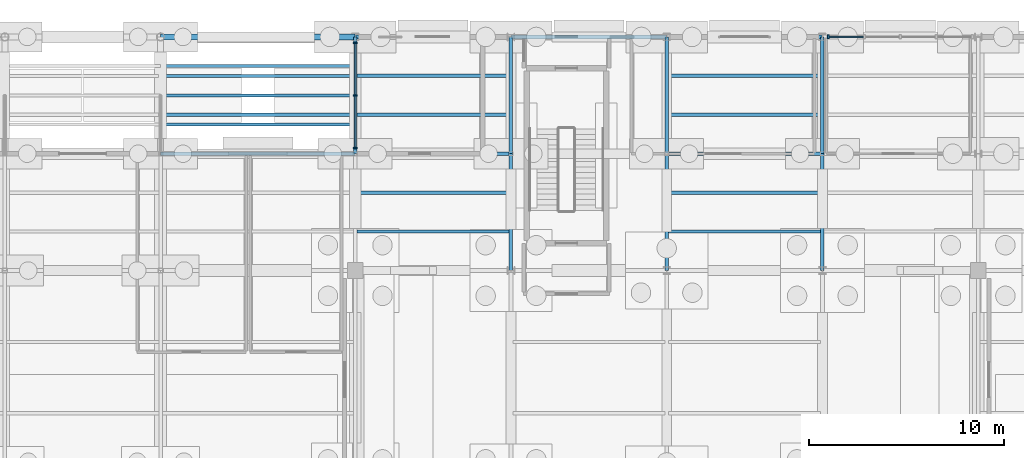
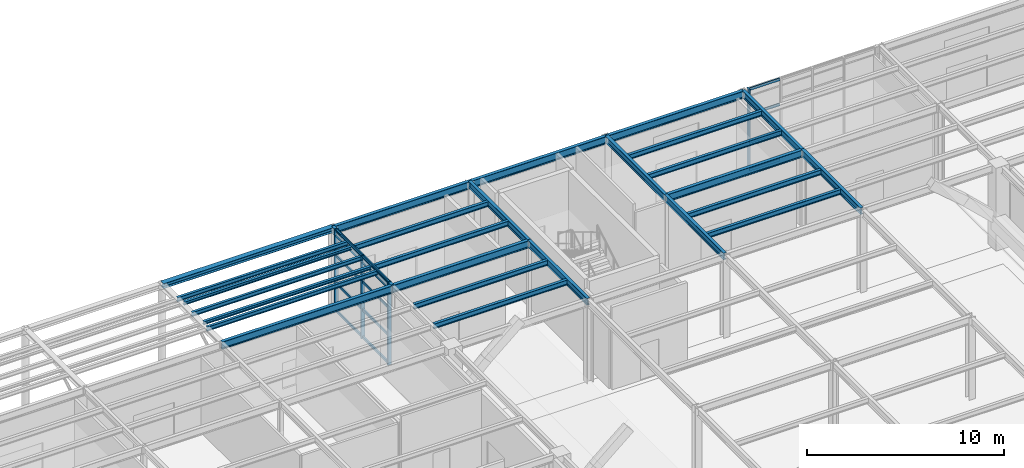
# One storey, part 57 of 129: 24 beams, 19 members, 2 elements without a shape of their own.
"""IFC4 building model written with IfcOpenShell, lengths in metres."""

from ifc_helpers import new_model, si_unit, direction, frame, origin, origin_2d, place, context, subcontext, project, spatial, rectangle, i_section, extrude, material, layer, layer_set, material_profile, profile_set, type_object, element, aggregate, save


model = new_model("IFC4")

# Units and contexts
model_context = context("Model", 3, precision=1e-05, world=origin(), true_north=direction((0.0, 1.0)))
body_context = subcontext(model_context, "Body", "Model", "MODEL_VIEW")
ifc_project = project(units=[si_unit("LENGTHUNIT", "METRE"), si_unit("AREAUNIT", "SQUARE_METRE"), si_unit("VOLUMEUNIT", "CUBIC_METRE"), si_unit("PLANEANGLEUNIT", "RADIAN"), si_unit("MASSUNIT", "GRAM", prefix="KILO")], contexts=[model_context])

# Site, building, storey
site_placement = place(None, origin())
site = spatial("IfcSite", under=ifc_project, at=site_placement, CompositionType="ELEMENT")
building_placement = place(site_placement, origin())
building = spatial("IfcBuilding", under=site, at=building_placement, Name="Sitalva Quay Ferry Terminal", CompositionType="ELEMENT")
storey_placement = place(building_placement, origin())
storey = spatial("IfcBuildingStorey", under=building, at=storey_placement, Name="L01", CompositionType="ELEMENT", Elevation=0.0)

# Beams
ifc_material_1 = material(Name="Structural Steel S355JR", Category="steel")
ifc_material_profile_1 = material_profile(ifc_material_1, i_section(OverallWidth=0.305908203125, OverallDepth=0.31103515625, WebThickness=0.010986328125, FlangeThickness=0.01708984375, FilletRadius=0.014892578125, at=origin_2d()), Name="W310x107")
ifc_profile_set_1 = profile_set([ifc_material_profile_1], Name="Structural Steel S355JR")
beam_type_1 = type_object("IfcBeamType", Name="Beam_W310x107", PredefinedType="BEAM", material=ifc_profile_set_1)
beam_1_placement = place(storey_placement, frame((32.0, 112.0, 4.964599609375), z_axis=(1.0, 0.0, 0.0), x_axis=(0.0, 1.0, 0.0)))
element("IfcBeam", 1, at=beam_1_placement, inside=storey, type_object=beam_type_1, Name="L01 Primary X girder 0669", PredefinedType="BEAM", context=body_context, shape_type="SweptSolid", body=[
    extrude(i_section(OverallWidth=0.305908203125, OverallDepth=0.31103515625, WebThickness=0.010986328125, FlangeThickness=0.01708984375, FilletRadius=0.014892578125, at=origin_2d()), origin(), (0.0, 0.0, 1.0), 10.0),
])
ifc_material_2 = material(Name="Structural Steel S355JR", Category="steel")
ifc_material_profile_2 = material_profile(ifc_material_2, i_section(OverallWidth=0.180908203125, OverallDepth=0.4169921875, WebThickness=0.010986328125, FlangeThickness=0.018310546875, FilletRadius=0.012939453125, at=origin_2d()), Name="W410x85")
ifc_profile_set_2 = profile_set([ifc_material_profile_2], Name="Structural Steel S355JR")
beam_type_2 = type_object("IfcBeamType", Name="Beam_W410x85", PredefinedType="BEAM", material=ifc_profile_set_2)
for number, where, z_axis, x_axis, name in (
    (2, (42.0, 106.0, 4.91162109375), (0.0, 1.0, 0.0), (-1.0, 0.0, 0.0), "L01 Primary Y girder 0632"),
    (3, (50.0, 100.0, 4.91162109375), (0.0, 1.0, 0.0), (-1.0, 0.0, 0.0), "L01 Primary Y girder 0633"),
    (4, (50.0, 106.0, 4.91162109375), (0.0, 1.0, 0.0), (-1.0, 0.0, 0.0), "L01 Primary Y girder 0634"),
    (5, (58.0, 100.0, 4.91162109375), (0.0, 1.0, 0.0), (-1.0, 0.0, 0.0), "L01 Primary Y girder 0635"),
    (6, (58.0, 106.0, 4.91162109375), (0.0, 1.0, 0.0), (-1.0, 0.0, 0.0), "L01 Primary Y girder 0636"),
    (7, (66.0, 100.0, 4.91162109375), (0.0, 1.0, 0.0), (-1.0, 0.0, 0.0), "L01 Primary Y girder 0637"),
    (8, (66.0, 106.0, 4.91162109375), (0.0, 1.0, 0.0), (-1.0, 0.0, 0.0), "L01 Primary Y girder 0638"),
):
    element("IfcBeam", number, at=place(storey_placement, frame(where, z_axis=z_axis, x_axis=x_axis)), inside=storey, type_object=beam_type_2, Name=name, PredefinedType="BEAM", context=body_context, shape_type="SweptSolid", body=[
        extrude(i_section(OverallWidth=0.180908203125, OverallDepth=0.4169921875, WebThickness=0.010986328125, FlangeThickness=0.018310546875, FilletRadius=0.012939453125, at=origin_2d()), origin(), (0.0, 0.0, 1.0), 6.0),
    ])
ifc_material_3 = material(Name="Structural Steel S355JR", Category="steel")
ifc_material_profile_3 = material_profile(ifc_material_3, i_section(OverallWidth=0.19091796875, OverallDepth=0.4599609375, WebThickness=0.010009765625, FlangeThickness=0.01611328125, FilletRadius=0.013916015625, at=origin_2d()), Name="W460x82")
ifc_profile_set_3 = profile_set([ifc_material_profile_3], Name="Structural Steel S355JR")
beam_type_3 = type_object("IfcBeamType", Name="Beam_W460x82", PredefinedType="BEAM", material=ifc_profile_set_3)
beam_2_placement = place(storey_placement, frame((32.0, 106.0, 4.889892578125), z_axis=(1.0, 0.0, 0.0), x_axis=(0.0, 1.0, 0.0)))
element("IfcBeam", 9, at=beam_2_placement, inside=storey, type_object=beam_type_3, Name="L01 Primary X girder 0467", PredefinedType="BEAM", context=body_context, shape_type="SweptSolid", body=[
    extrude(i_section(OverallWidth=0.19091796875, OverallDepth=0.4599609375, WebThickness=0.010009765625, FlangeThickness=0.01611328125, FilletRadius=0.013916015625, at=origin_2d()), origin(), (0.0, 0.0, 1.0), 10.0),
])
for number, where, z_axis, x_axis, name in (
    (10, (42.0, 106.0, 4.889892578125), (1.0, 0.0, 0.0), (0.0, 1.0, 0.0), "L01 Primary X girder 0620"),
    (11, (58.0, 106.0, 4.889892578125), (1.0, 0.0, 0.0), (0.0, 1.0, 0.0), "L01 Primary X girder 0621"),
    (12, (42.0, 112.0, 4.889892578125), (1.0, 0.0, 0.0), (0.0, 1.0, 0.0), "L01 Primary X girder 0623"),
    (13, (50.0, 112.0, 4.889892578125), (1.0, 0.0, 0.0), (0.0, 1.0, 0.0), "L01 Primary X girder 0624"),
    (14, (58.0, 112.0, 4.889892578125), (1.0, 0.0, 0.0), (0.0, 1.0, 0.0), "L01 Primary X girder 0625"),
):
    element("IfcBeam", number, at=place(storey_placement, frame(where, z_axis=z_axis, x_axis=x_axis)), inside=storey, type_object=beam_type_3, Name=name, PredefinedType="BEAM", context=body_context, shape_type="SweptSolid", body=[
        extrude(i_section(OverallWidth=0.19091796875, OverallDepth=0.4599609375, WebThickness=0.010009765625, FlangeThickness=0.01611328125, FilletRadius=0.013916015625, at=origin_2d()), origin(), (0.0, 0.0, 1.0), 8.0),
    ])
ifc_material_4 = material(Name="Structural Steel S355JR", Category="steel")
ifc_material_profile_4 = material_profile(ifc_material_4, i_section(OverallWidth=0.1650390625, OverallDepth=0.200927734375, WebThickness=0.006103515625, FlangeThickness=0.01025390625, FilletRadius=0.010009765625, at=origin_2d()), Name="W200x36")
ifc_profile_set_4 = profile_set([ifc_material_profile_4], Name="Structural Steel S355JR")
beam_type_4 = type_object("IfcBeamType", Name="Joist_W200x36", PredefinedType="JOIST", material=ifc_profile_set_4)
for number, where, z_axis, x_axis, name in (
    (15, (32.10009765625, 108.0, 5.01953125), (1.0, 0.0, 0.0), (0.0, 1.0, 0.0), "L01 Secondary joist 0675"),
    (16, (32.10009765625, 110.0, 5.01953125), (1.0, 0.0, 0.0), (0.0, 1.0, 0.0), "L01 Secondary joist 0678"),
):
    element("IfcBeam", number, at=place(storey_placement, frame(where, z_axis=z_axis, x_axis=x_axis)), inside=storey, type_object=beam_type_4, Name=name, PredefinedType="JOIST", context=body_context, shape_type="SweptSolid", body=[
        extrude(i_section(OverallWidth=0.1650390625, OverallDepth=0.200927734375, WebThickness=0.006103515625, FlangeThickness=0.01025390625, FilletRadius=0.010009765625, at=origin_2d()), origin(), (0.0, 0.0, 1.0), 9.7998046875),
    ])
ifc_material_5 = material(Name="Structural Steel S355JR", Category="steel")
ifc_material_profile_5 = material_profile(ifc_material_5, i_section(OverallWidth=0.166015625, OverallDepth=0.31298828125, WebThickness=0.006591796875, FlangeThickness=0.01123046875, FilletRadius=0.010986328125, at=origin_2d()), Name="W310x45")
ifc_profile_set_5 = profile_set([ifc_material_profile_5], Name="Structural Steel S355JR")
beam_type_5 = type_object("IfcBeamType", Name="Joist_W310x45", PredefinedType="JOIST", material=ifc_profile_set_5)
for number, where, z_axis, x_axis, name in (
    (17, (42.090576171875, 102.0, 4.96337890625), (1.0, 0.0, 0.0), (0.0, 1.0, 0.0), "L01 Secondary joist 0645"),
    (18, (58.090576171875, 102.0, 4.96337890625), (1.0, 0.0, 0.0), (0.0, 1.0, 0.0), "L01 Secondary joist 0646"),
    (19, (42.090576171875, 104.0, 4.96337890625), (1.0, 0.0, 0.0), (0.0, 1.0, 0.0), "L01 Secondary joist 0648"),
    (20, (58.090576171875, 104.0, 4.96337890625), (1.0, 0.0, 0.0), (0.0, 1.0, 0.0), "L01 Secondary joist 0649"),
    (21, (42.090576171875, 108.0, 4.96337890625), (1.0, 0.0, 0.0), (0.0, 1.0, 0.0), "L01 Secondary joist 0651"),
    (22, (58.090576171875, 108.0, 4.96337890625), (1.0, 0.0, 0.0), (0.0, 1.0, 0.0), "L01 Secondary joist 0652"),
    (23, (42.090576171875, 110.0, 4.96337890625), (1.0, 0.0, 0.0), (0.0, 1.0, 0.0), "L01 Secondary joist 0659"),
    (24, (58.090576171875, 110.0, 4.96337890625), (1.0, 0.0, 0.0), (0.0, 1.0, 0.0), "L01 Secondary joist 0660"),
):
    element("IfcBeam", number, at=place(storey_placement, frame(where, z_axis=z_axis, x_axis=x_axis)), inside=storey, type_object=beam_type_5, Name=name, PredefinedType="JOIST", context=body_context, shape_type="SweptSolid", body=[
        extrude(i_section(OverallWidth=0.166015625, OverallDepth=0.31298828125, WebThickness=0.006591796875, FlangeThickness=0.01123046875, FilletRadius=0.010986328125, at=origin_2d()), origin(), (0.0, 0.0, 1.0), 7.81884765625),
    ])

# Curtain wall, members
ifc_material_6 = material(Name="Anodised Aluminium & Low-E Glazing", Category="aluminium")
ifc_layer_1 = layer(ifc_material_6, 0.159912109375)
ifc_layer_set_1 = layer_set([ifc_layer_1], Name="Anodised Aluminium & Low-E Glazing")
curtain_wall_type_1 = type_object("IfcCurtainWallType", Name="CW_Podium_Stick", PredefinedType="USERDEFINED", material=ifc_layer_set_1)
curtain_wall_1_placement = place(storey_placement, origin())
curtain_wall_1 = element("IfcCurtainWall", 25, at=curtain_wall_1_placement, inside=storey, type_object=curtain_wall_type_1, Name="Forecourt west return glazing L01 (CW-L01-100)", ObjectType="CURTAIN_WALL", PredefinedType="USERDEFINED")
ifc_material_7 = material(Name="Anodised Aluminium 6063-T6", Category="aluminium")
ifc_material_profile_6 = material_profile(ifc_material_7, rectangle(XDim=0.074951171875, YDim=0.219970703125, at=origin_2d()), Name="ALU75x220")
ifc_profile_set_6 = profile_set([ifc_material_profile_6], Name="Anodised Aluminium 6063-T6")
member_type_1 = type_object("IfcMemberType", Name="Mullion_Alu_75x160", PredefinedType="MULLION", material=ifc_profile_set_6)
member_1_placement = place(storey_placement, frame((42.0, 106.300048828125, 0.0), z_axis=(0.0, 0.0, 1.0), x_axis=(0.0, 1.0, 0.0)))
member_1 = element("IfcMember", 26, at=member_1_placement, type_object=member_type_1, Name="CW-L01-100-M0", PredefinedType="MULLION", context=body_context, shape_type="SweptSolid", body=[
    extrude(rectangle(XDim=0.074951171875, YDim=0.219970703125, at=origin_2d()), origin(), (0.0, 0.0, 1.0), 5.1201171875),
])
member_2_placement = place(storey_placement, frame((42.0, 109.0, 0.0), z_axis=(0.0, 0.0, 1.0), x_axis=(0.0, 1.0, 0.0)))
member_2 = element("IfcMember", 27, at=member_2_placement, type_object=member_type_1, Name="CW-L01-100-M1", PredefinedType="MULLION", context=body_context, shape_type="SweptSolid", body=[
    extrude(rectangle(XDim=0.074951171875, YDim=0.219970703125, at=origin_2d()), origin(), (0.0, 0.0, 1.0), 5.1201171875),
])
member_3_placement = place(storey_placement, frame((42.0, 111.699951171875, 0.0), z_axis=(0.0, 0.0, 1.0), x_axis=(0.0, 1.0, 0.0)))
member_3 = element("IfcMember", 28, at=member_3_placement, type_object=member_type_1, Name="CW-L01-100-M2", PredefinedType="MULLION", context=body_context, shape_type="SweptSolid", body=[
    extrude(rectangle(XDim=0.074951171875, YDim=0.219970703125, at=origin_2d()), origin(), (0.0, 0.0, 1.0), 5.1201171875),
])

# Curtain wall, member
ifc_material_8 = material(Name="Anodised Aluminium & Low-E Glazing", Category="aluminium")
ifc_layer_2 = layer(ifc_material_8, 0.159912109375)
ifc_layer_set_2 = layer_set([ifc_layer_2], Name="Anodised Aluminium & Low-E Glazing")
curtain_wall_type_2 = type_object("IfcCurtainWallType", Name="CW_Concourse_Unitised", PredefinedType="USERDEFINED", material=ifc_layer_set_2)
curtain_wall_2_placement = place(storey_placement, origin())
curtain_wall_2 = element("IfcCurtainWall", 29, at=curtain_wall_2_placement, inside=storey, type_object=curtain_wall_type_2, Name="Forecourt arrival hall glazing L01 (CW-L01-102)", ObjectType="CURTAIN_WALL", PredefinedType="USERDEFINED")
ifc_material_9 = material(Name="Anodised Aluminium 6063-T6", Category="aluminium")
ifc_material_profile_7 = material_profile(ifc_material_9, rectangle(XDim=0.0849609375, YDim=0.2099609375, at=origin_2d()), Name="ALU85x210")
ifc_profile_set_7 = profile_set([ifc_material_profile_7], Name="Anodised Aluminium 6063-T6")
member_type_2 = type_object("IfcMemberType", Name="Mullion_Alu_85x210", PredefinedType="MULLION", material=ifc_profile_set_7)
member_4_placement = place(storey_placement, frame((66.300048828125, 112.0, 0.0), z_axis=(0.0, 0.0, 1.0), x_axis=(1.0, 0.0, 0.0)))
member_4 = element("IfcMember", 30, at=member_4_placement, type_object=member_type_2, Name="CW-L01-102-M0", PredefinedType="MULLION", context=body_context, shape_type="SweptSolid", body=[
    extrude(rectangle(XDim=0.0849609375, YDim=0.2099609375, at=origin_2d()), origin(), (0.0, 0.0, 1.0), 5.1201171875),
])

# Members
ifc_material_10 = material(Name="Structural Steel S355JR", Category="steel")
ifc_material_profile_8 = material_profile(ifc_material_10, i_section(OverallWidth=0.14697265625, OverallDepth=0.261962890625, WebThickness=0.006591796875, FlangeThickness=0.01123046875, FilletRadius=0.010009765625, at=origin_2d()), Name="W250x39")
ifc_profile_set_8 = profile_set([ifc_material_profile_8], Name="Structural Steel S355JR")
member_type_3 = type_object("IfcMemberType", Name="Purlin_W250x39", PredefinedType="PURLIN", material=ifc_profile_set_8)
for number, where, z_axis, x_axis, name in (
    (31, (32.0, 107.5, 4.989013671875), (1.0, 0.0, 0.0), (0.0, 1.0, 0.0), "Entrance canopy W purlin"),
    (32, (32.0, 109.0, 4.989013671875), (1.0, 0.0, 0.0), (0.0, 1.0, 0.0), "Entrance canopy W purlin"),
    (33, (32.0, 110.5, 4.989013671875), (1.0, 0.0, 0.0), (0.0, 1.0, 0.0), "Entrance canopy W purlin"),
):
    element("IfcMember", number, at=place(storey_placement, frame(where, z_axis=z_axis, x_axis=x_axis)), inside=storey, type_object=member_type_3, Name=name, PredefinedType="PURLIN", context=body_context, shape_type="SweptSolid", body=[
        extrude(i_section(OverallWidth=0.14697265625, OverallDepth=0.261962890625, WebThickness=0.006591796875, FlangeThickness=0.01123046875, FilletRadius=0.010009765625, at=origin_2d()), origin(), (0.0, 0.0, 1.0), 10.0),
    ])

# Member
ifc_material_11 = material(Name="Anodised Aluminium 6063-T6", Category="aluminium")
ifc_material_profile_9 = material_profile(ifc_material_11, rectangle(XDim=0.074951171875, YDim=0.155029296875, at=origin_2d()), Name="ALU75x155")
ifc_profile_set_9 = profile_set([ifc_material_profile_9], Name="Anodised Aluminium 6063-T6")
member_type_4 = type_object("IfcMemberType", Name="Transom_Alu_70x135", PredefinedType="MULLION", material=ifc_profile_set_9)
member_5_placement = place(storey_placement, frame((42.0, 106.33740234375, 0.077392578125), z_axis=(0.0, 1.0, 0.0), x_axis=(-1.0, 0.0, 0.0)))
member_5 = element("IfcMember", 34, at=member_5_placement, type_object=member_type_4, Name="CW-L01-100-T0-0", ObjectType="TRANSOM", PredefinedType="USERDEFINED", context=body_context, shape_type="SweptSolid", body=[
    extrude(rectangle(XDim=0.074951171875, YDim=0.155029296875, at=origin_2d()), origin(), (0.0, 0.0, 1.0), 2.625),
])

member_6_placement = place(storey_placement, frame((42.0, 106.33740234375, 1.7841796875), z_axis=(0.0, 1.0, 0.0), x_axis=(-1.0, 0.0, 0.0)))
member_6 = element("IfcMember", 35, at=member_6_placement, type_object=member_type_4, Name="CW-L01-100-T0-1", ObjectType="TRANSOM", PredefinedType="USERDEFINED", context=body_context, shape_type="SweptSolid", body=[
    extrude(rectangle(XDim=0.074951171875, YDim=0.155029296875, at=origin_2d()), origin(), (0.0, 0.0, 1.0), 2.625),
])

member_7_placement = place(storey_placement, frame((42.0, 106.33740234375, 3.49072265625), z_axis=(0.0, 1.0, 0.0), x_axis=(-1.0, 0.0, 0.0)))
member_7 = element("IfcMember", 36, at=member_7_placement, type_object=member_type_4, Name="CW-L01-100-T0-2", ObjectType="TRANSOM", PredefinedType="USERDEFINED", context=body_context, shape_type="SweptSolid", body=[
    extrude(rectangle(XDim=0.074951171875, YDim=0.155029296875, at=origin_2d()), origin(), (0.0, 0.0, 1.0), 2.625),
])

member_8_placement = place(storey_placement, frame((42.0, 106.33740234375, 5.04248046875), z_axis=(0.0, 1.0, 0.0), x_axis=(-1.0, 0.0, 0.0)))
member_8 = element("IfcMember", 37, at=member_8_placement, type_object=member_type_4, Name="CW-L01-100-T0-3", ObjectType="TRANSOM", PredefinedType="USERDEFINED", context=body_context, shape_type="SweptSolid", body=[
    extrude(rectangle(XDim=0.074951171875, YDim=0.155029296875, at=origin_2d()), origin(), (0.0, 0.0, 1.0), 2.625),
])

member_9_placement = place(storey_placement, frame((42.0, 109.03759765625, 0.077392578125), z_axis=(0.0, 1.0, 0.0), x_axis=(-1.0, 0.0, 0.0)))
member_9 = element("IfcMember", 38, at=member_9_placement, type_object=member_type_4, Name="CW-L01-100-T1-0", ObjectType="TRANSOM", PredefinedType="USERDEFINED", context=body_context, shape_type="SweptSolid", body=[
    extrude(rectangle(XDim=0.074951171875, YDim=0.155029296875, at=origin_2d()), origin(), (0.0, 0.0, 1.0), 2.625),
])

member_10_placement = place(storey_placement, frame((42.0, 109.03759765625, 1.7841796875), z_axis=(0.0, 1.0, 0.0), x_axis=(-1.0, 0.0, 0.0)))
member_10 = element("IfcMember", 39, at=member_10_placement, type_object=member_type_4, Name="CW-L01-100-T1-1", ObjectType="TRANSOM", PredefinedType="USERDEFINED", context=body_context, shape_type="SweptSolid", body=[
    extrude(rectangle(XDim=0.074951171875, YDim=0.155029296875, at=origin_2d()), origin(), (0.0, 0.0, 1.0), 2.625),
])

member_11_placement = place(storey_placement, frame((42.0, 109.03759765625, 3.49072265625), z_axis=(0.0, 1.0, 0.0), x_axis=(-1.0, 0.0, 0.0)))
member_11 = element("IfcMember", 40, at=member_11_placement, type_object=member_type_4, Name="CW-L01-100-T1-2", ObjectType="TRANSOM", PredefinedType="USERDEFINED", context=body_context, shape_type="SweptSolid", body=[
    extrude(rectangle(XDim=0.074951171875, YDim=0.155029296875, at=origin_2d()), origin(), (0.0, 0.0, 1.0), 2.625),
])

member_12_placement = place(storey_placement, frame((42.0, 109.03759765625, 5.04248046875), z_axis=(0.0, 1.0, 0.0), x_axis=(-1.0, 0.0, 0.0)))
member_12 = element("IfcMember", 41, at=member_12_placement, type_object=member_type_4, Name="CW-L01-100-T1-3", ObjectType="TRANSOM", PredefinedType="USERDEFINED", context=body_context, shape_type="SweptSolid", body=[
    extrude(rectangle(XDim=0.074951171875, YDim=0.155029296875, at=origin_2d()), origin(), (0.0, 0.0, 1.0), 2.625),
])

aggregate(curtain_wall_1, [member_1, member_2, member_3, member_5, member_6, member_7, member_8, member_9, member_10, member_11, member_12])

ifc_material_12 = material(Name="Anodised Aluminium 6063-T6", Category="aluminium")
ifc_material_profile_10 = material_profile(ifc_material_12, rectangle(XDim=0.074951171875, YDim=0.14990234375, at=origin_2d()), Name="ALU75x150")
ifc_profile_set_10 = profile_set([ifc_material_profile_10], Name="Anodised Aluminium 6063-T6")
member_type_5 = type_object("IfcMemberType", Name="Transom_Alu_75x140", PredefinedType="MULLION", material=ifc_profile_set_10)
member_13_placement = place(storey_placement, frame((66.342529296875, 112.0, 0.074951171875), z_axis=(1.0, 0.0, 0.0), x_axis=(0.0, 1.0, 0.0)))
member_13 = element("IfcMember", 42, at=member_13_placement, type_object=member_type_5, Name="CW-L01-102-T0-0", ObjectType="TRANSOM", PredefinedType="USERDEFINED", context=body_context, shape_type="SweptSolid", body=[
    extrude(rectangle(XDim=0.074951171875, YDim=0.14990234375, at=origin_2d()), origin(), (0.0, 0.0, 1.0), 1.764892578125),
])

member_14_placement = place(storey_placement, frame((66.342529296875, 112.0, 1.78173828125), z_axis=(1.0, 0.0, 0.0), x_axis=(0.0, 1.0, 0.0)))
member_14 = element("IfcMember", 43, at=member_14_placement, type_object=member_type_5, Name="CW-L01-102-T0-1", ObjectType="TRANSOM", PredefinedType="USERDEFINED", context=body_context, shape_type="SweptSolid", body=[
    extrude(rectangle(XDim=0.074951171875, YDim=0.14990234375, at=origin_2d()), origin(), (0.0, 0.0, 1.0), 1.764892578125),
])

member_15_placement = place(storey_placement, frame((66.342529296875, 112.0, 3.48828125), z_axis=(1.0, 0.0, 0.0), x_axis=(0.0, 1.0, 0.0)))
member_15 = element("IfcMember", 44, at=member_15_placement, type_object=member_type_5, Name="CW-L01-102-T0-2", ObjectType="TRANSOM", PredefinedType="USERDEFINED", context=body_context, shape_type="SweptSolid", body=[
    extrude(rectangle(XDim=0.074951171875, YDim=0.14990234375, at=origin_2d()), origin(), (0.0, 0.0, 1.0), 1.764892578125),
])

member_16_placement = place(storey_placement, frame((66.342529296875, 112.0, 5.044921875), z_axis=(1.0, 0.0, 0.0), x_axis=(0.0, 1.0, 0.0)))
member_16 = element("IfcMember", 45, at=member_16_placement, type_object=member_type_5, Name="CW-L01-102-T0-3", ObjectType="TRANSOM", PredefinedType="USERDEFINED", context=body_context, shape_type="SweptSolid", body=[
    extrude(rectangle(XDim=0.074951171875, YDim=0.14990234375, at=origin_2d()), origin(), (0.0, 0.0, 1.0), 1.764892578125),
])

aggregate(curtain_wall_2, [member_4, member_13, member_14, member_15, member_16])

save(model, "model.ifc")
